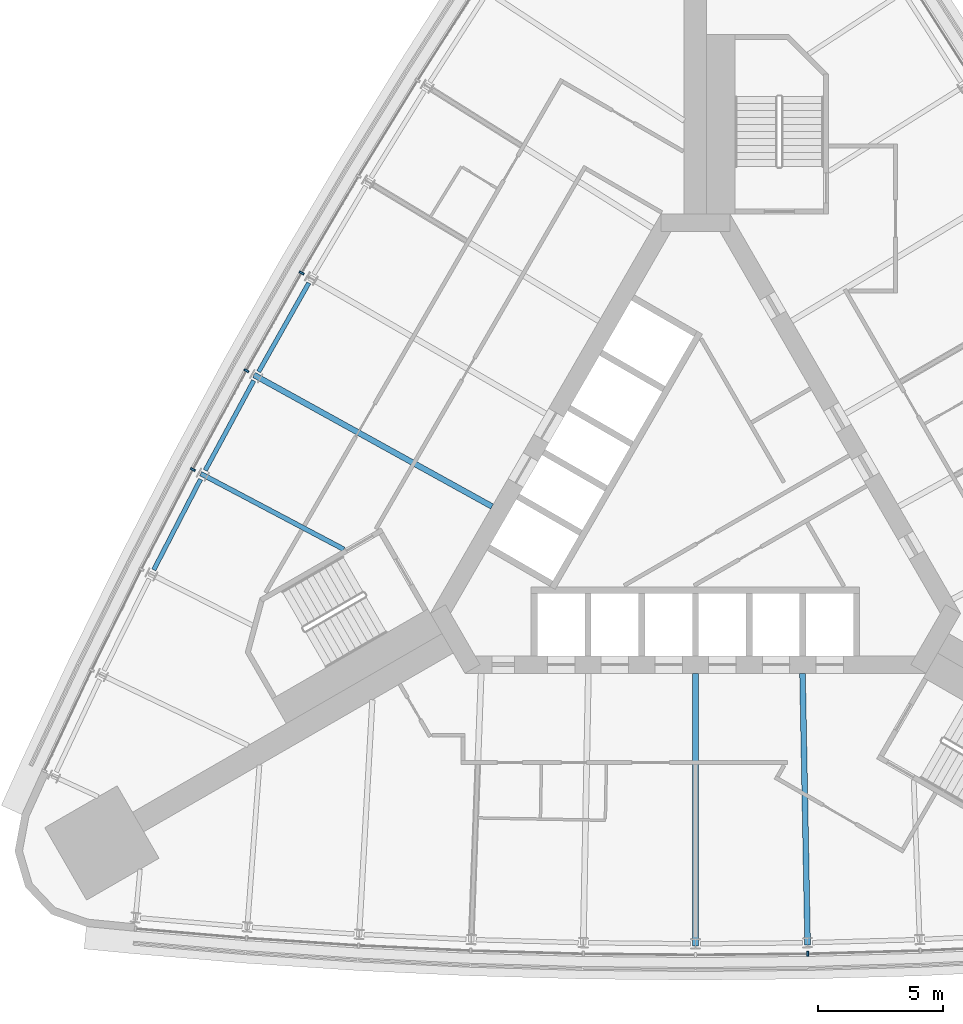
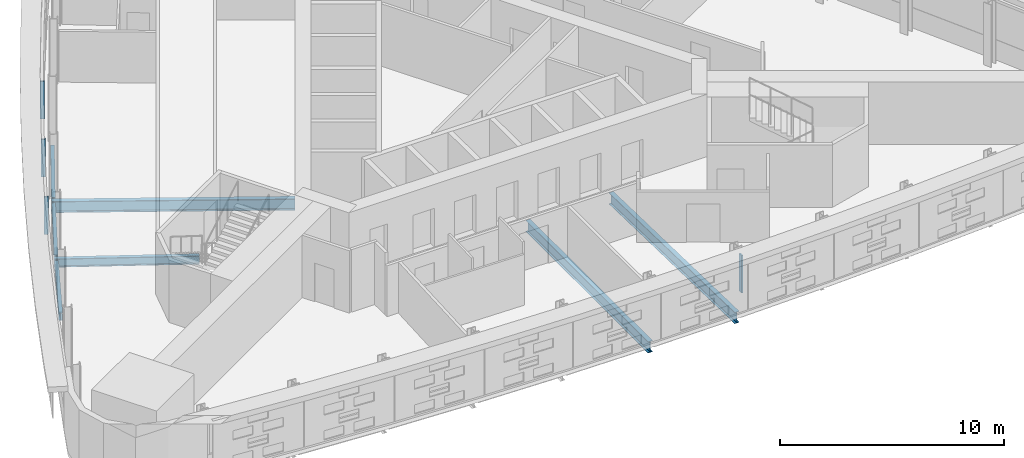
# One storey, part 4 of 14: 7 beams, 4 members, 2 elements without a shape of their own.
"""IFC4 building model written with IfcOpenShell, lengths in metres."""

from ifc_helpers import new_model, si_unit, direction, frame, origin, origin_2d, place, context, subcontext, project, spatial, rectangle, i_section, extrude, material, material_profile, profile_set, type_object, element, aggregate, save


model = new_model("IFC4")

# Units and contexts
model_context = context("Model", 3, precision=1e-05, world=origin(), true_north=direction((0.0, 1.0)))
body_context = subcontext(model_context, "Body", "Model", "MODEL_VIEW")
ifc_project = project(units=[si_unit("LENGTHUNIT", "METRE"), si_unit("AREAUNIT", "SQUARE_METRE"), si_unit("VOLUMEUNIT", "CUBIC_METRE"), si_unit("PLANEANGLEUNIT", "RADIAN"), si_unit("MASSUNIT", "GRAM", prefix="KILO")], contexts=[model_context])

# Site, building, storey
site_placement = place(None, origin())
site = spatial("IfcSite", under=ifc_project, at=site_placement, CompositionType="ELEMENT")
building_placement = place(site_placement, origin())
building = spatial("IfcBuilding", under=site, at=building_placement, Name="Noor Cloister Tower", CompositionType="ELEMENT")
storey_placement = place(building_placement, frame((0.0, 0.0, 38.39990234375)))
storey = spatial("IfcBuildingStorey", under=building, at=storey_placement, Name="L09", CompositionType="ELEMENT", Elevation=38.39990234375)

# Curtain wall, members
ifc_material_1 = material(Name="Aluminium 6063-T6 anodised", Category="aluminium")
curtain_wall_type = type_object("IfcCurtainWallType", Name="Ribbon curtain wall, lower tower CW1", PredefinedType="NOTDEFINED", material=ifc_material_1)
curtain_wall_1_placement = place(storey_placement, origin())
curtain_wall_1 = element("IfcCurtainWall", 1, at=curtain_wall_1_placement, inside=storey, type_object=curtain_wall_type, Name="CW1 L09 NW run 1", PredefinedType="NOTDEFINED")
ifc_material_2 = material(Name="Aluminium 6063-T6 anodised", Category="aluminium")
ifc_material_profile_1 = material_profile(ifc_material_2, rectangle(XDim=0.199951171875, YDim=0.080078125, at=origin_2d()), Name="200 x 80 mullion")
ifc_profile_set_1 = profile_set([ifc_material_profile_1], Name="Aluminium 6063-T6 anodised")
member_type = type_object("IfcMemberType", Name="Mullion CW1 80 x 200", PredefinedType="MULLION", material=ifc_profile_set_1)
member_1_placement = place(storey_placement, frame((-15.767578125, 9.103515625, 1.10009765625), z_axis=(0.0, 0.0, 1.0), x_axis=(0.866025403784, -0.5, 0.0)))
member_1 = element("IfcMember", 2, at=member_1_placement, type_object=member_type, Name="CW1 mullion 6", PredefinedType="MULLION", context=body_context, shape_type="SweptSolid", body=[
    extrude(rectangle(XDim=0.199951171875, YDim=0.080078125, at=origin_2d()), origin(), (0.0, 0.0, 1.0), 2.050048828125),
])
member_2_placement = place(storey_placement, frame((-17.97998046875, 5.18701171875, 1.10009765625), z_axis=(0.0, 0.0, 1.0), x_axis=(0.875236705229, -0.483694851967, 0.0)))
member_2 = element("IfcMember", 3, at=member_2_placement, type_object=member_type, Name="CW1 mullion 7", PredefinedType="MULLION", context=body_context, shape_type="SweptSolid", body=[
    extrude(rectangle(XDim=0.199951171875, YDim=0.080078125, at=origin_2d()), origin(), (0.0, 0.0, 1.0), 2.050048828125),
])
member_3_placement = place(storey_placement, frame((-20.11865234375, 1.22998046875, 1.10009765625), z_axis=(0.0, 0.0, 1.0), x_axis=(0.884141064129, -0.467220053851, 0.0)))
member_3 = element("IfcMember", 4, at=member_3_placement, type_object=member_type, Name="CW1 mullion 8", PredefinedType="MULLION", context=body_context, shape_type="SweptSolid", body=[
    extrude(rectangle(XDim=0.199951171875, YDim=0.080078125, at=origin_2d()), origin(), (0.0, 0.0, 1.0), 2.050048828125),
])
aggregate(curtain_wall_1, [member_1, member_2, member_3])

# Curtain wall, member
curtain_wall_2_placement = place(storey_placement, origin())
curtain_wall_2 = element("IfcCurtainWall", 5, at=curtain_wall_2_placement, inside=storey, type_object=curtain_wall_type, Name="CW1 L09 S run 2", PredefinedType="NOTDEFINED")
member_4_placement = place(storey_placement, frame((4.497802734375, -18.164794921875, 1.10009765625), z_axis=(0.0, 0.0, 1.0), x_axis=(-0.018726323132, 0.999824647037, 0.0)))
member_4 = element("IfcMember", 6, at=member_4_placement, type_object=member_type, Name="CW1 mullion 7", PredefinedType="MULLION", context=body_context, shape_type="SweptSolid", body=[
    extrude(rectangle(XDim=0.199951171875, YDim=0.080078125, at=origin_2d()), origin(), (0.0, 0.0, 1.0), 2.050048828125),
])
aggregate(curtain_wall_2, [member_4])

# Beams
ifc_material_3 = material(Name="Steel ASTM A992 Gr 50", Category="steel")
ifc_material_profile_2 = material_profile(ifc_material_3, i_section(OverallWidth=0.19091796875, OverallDepth=0.45703125, WebThickness=0.009033203125, FlangeThickness=0.014404296875, FilletRadius=0.01025390625, at=origin_2d()), Name="W460x74")
ifc_profile_set_2 = profile_set([ifc_material_profile_2], Name="Steel ASTM A992 Gr 50")
beam_type_1 = type_object("IfcBeamType", Name="Radial beam W460x74", PredefinedType="BEAM", material=ifc_profile_set_2)
beam_1_placement = place(storey_placement, frame((-19.806640625, 1.065185546875, -0.428466796875), z_axis=(0.884140269683, -0.467221557214, 0.0), x_axis=(0.467221557214, 0.884140269683, 0.0)))
element("IfcBeam", 7, at=beam_1_placement, inside=storey, type_object=beam_type_1, Name="Radial beam NW 08 L09", PredefinedType="BEAM", context=body_context, shape_type="SweptSolid", body=[
    extrude(i_section(OverallWidth=0.19091796875, OverallDepth=0.45703125, WebThickness=0.009033203125, FlangeThickness=0.014404296875, FilletRadius=0.01025390625, at=origin_2d()), origin(), (0.0, 0.0, 1.0), 6.484130859375),
])
ifc_material_4 = material(Name="Steel ASTM A992 Gr 50", Category="steel")
ifc_material_profile_3 = material_profile(ifc_material_4, i_section(OverallWidth=0.22900390625, OverallDepth=0.612060546875, WebThickness=0.011962890625, FlangeThickness=0.01953125, FilletRadius=0.0126953125, at=origin_2d()), Name="W610x125")
ifc_profile_set_3 = profile_set([ifc_material_profile_3], Name="Steel ASTM A992 Gr 50")
beam_type_2 = type_object("IfcBeamType", Name="Radial beam W610x125", PredefinedType="BEAM", material=ifc_profile_set_3)
beam_2_placement = place(storey_placement, frame((-17.671142578125, 5.016357421875, -0.505859375), z_axis=(0.875231041062, -0.48370510103, 0.0), x_axis=(0.48370510103, 0.875231041062, 0.0)))
element("IfcBeam", 8, at=beam_2_placement, inside=storey, type_object=beam_type_2, Name="Radial beam NW 07 L09", PredefinedType="BEAM", context=body_context, shape_type="SweptSolid", body=[
    extrude(i_section(OverallWidth=0.22900390625, OverallDepth=0.612060546875, WebThickness=0.011962890625, FlangeThickness=0.01953125, FilletRadius=0.0126953125, at=origin_2d()), origin(), (0.0, 0.0, 1.0), 10.885498046875),
])
beam_3_placement = place(storey_placement, frame((0.0, -17.853759765625, -0.505859375), z_axis=(0.0, 1.0, 0.0), x_axis=(-1.0, 0.0, 0.0)))
element("IfcBeam", 9, at=beam_3_placement, inside=storey, type_object=beam_type_2, Name="Radial beam S 06 L09", PredefinedType="BEAM", context=body_context, shape_type="SweptSolid", body=[
    extrude(i_section(OverallWidth=0.22900390625, OverallDepth=0.612060546875, WebThickness=0.011962890625, FlangeThickness=0.01953125, FilletRadius=0.0126953125, at=origin_2d()), origin(), (0.0, 0.0, 1.0), 10.925537109375),
])
beam_4_placement = place(storey_placement, frame((4.4912109375, -17.811767578125, -0.505859375), z_axis=(-0.01872750761, 0.999824624851, 0.0), x_axis=(-0.999824624851, -0.01872750761, 0.0)))
element("IfcBeam", 10, at=beam_4_placement, inside=storey, type_object=beam_type_2, Name="Radial beam S 07 L09", PredefinedType="BEAM", context=body_context, shape_type="SweptSolid", body=[
    extrude(i_section(OverallWidth=0.22900390625, OverallDepth=0.612060546875, WebThickness=0.011962890625, FlangeThickness=0.01953125, FilletRadius=0.0126953125, at=origin_2d()), origin(), (0.0, 0.0, 1.0), 10.885498046875),
])
ifc_material_5 = material(Name="Steel ASTM A992 Gr 50", Category="steel")
ifc_material_profile_4 = material_profile(ifc_material_5, i_section(OverallWidth=0.177978515625, OverallDepth=0.406005859375, WebThickness=0.0078125, FlangeThickness=0.0126953125, FilletRadius=0.01025390625, at=origin_2d()), Name="W410x60")
ifc_profile_set_4 = profile_set([ifc_material_profile_4], Name="Steel ASTM A992 Gr 50")
beam_type_3 = type_object("IfcBeamType", Name="Spandrel beam W410x60", PredefinedType="SPANDREL", material=ifc_profile_set_4)
for number, where, z_axis, x_axis, name in (
    (11, (-15.477294921875, 8.70263671875, -0.40283203125), (-0.491840652179, -0.870685231794, 0.0), (0.870685231794, -0.491840652179, 0.0), "Spandrel beam NW 06 L09"),
    (12, (-17.68212890625, 4.791748046875, -0.40283203125), (-0.475478288793, -0.879727456027, 0.0), (0.879727456027, -0.475478288793, 0.0), "Spandrel beam NW 07 L09"),
    (13, (-19.8134765625, 0.84033203125, -0.40283203125), (-0.458910785429, -0.888482352676, 0.0), (0.888482352676, -0.458910785429, 0.0), "Spandrel beam NW 08 L09"),
):
    element("IfcBeam", number, at=place(storey_placement, frame(where, z_axis=z_axis, x_axis=x_axis)), inside=storey, type_object=beam_type_3, Name=name, PredefinedType="SPANDREL", context=body_context, shape_type="SweptSolid", body=[
        extrude(i_section(OverallWidth=0.177978515625, OverallDepth=0.406005859375, WebThickness=0.0078125, FlangeThickness=0.0126953125, FilletRadius=0.01025390625, at=origin_2d()), origin(), (0.0, 0.0, 1.0), 4.085693359375),
    ])

save(model, "model.ifc")
